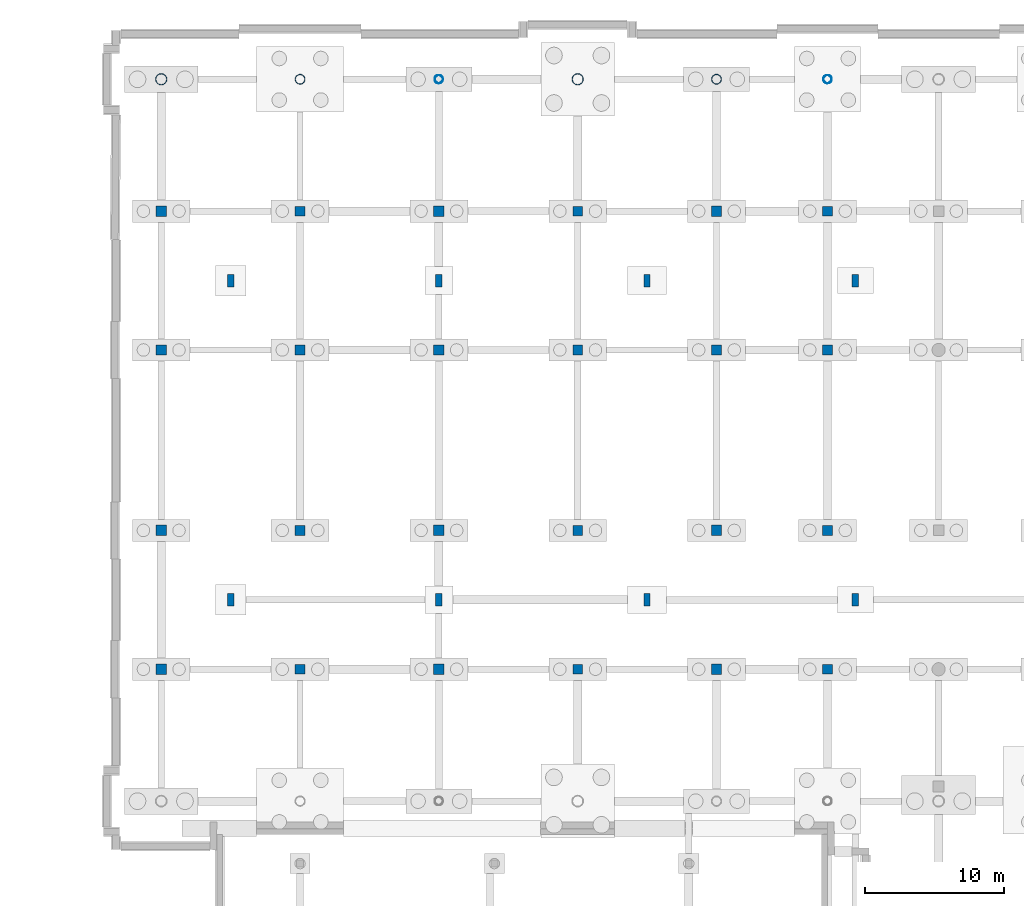
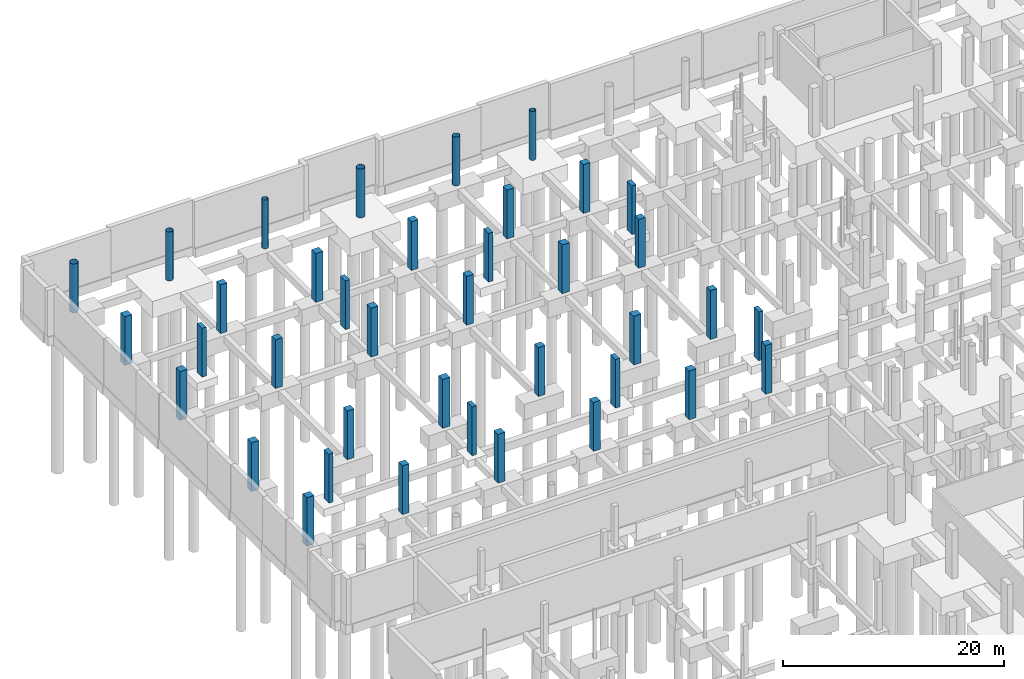
# One storey, part 39 of 65: 38 columns.
"""IFC4 building model written with IfcOpenShell, lengths in metres."""

import ifcopenshell
import ifcopenshell.guid

model = None  # the IFC model being written
_history = None  # IfcOwnerHistory: only IFC2X3 demands one
_inside = {}  # id of a spatial element -> (the spatial element, [elements in it])
_under = {}  # id of a project, library or spatial element -> (it, [spatial elements below it])
_declared = {}  # id of a project -> (the project, [libraries it declares])
_typed = {}  # id of a type object -> (the type object, [elements of that type])
_made_of = {}  # id of a material, layer set ... -> (it, [elements and type objects made of it])


def new_model(schema):
    """Start an empty IFC model of exactly this schema.

    Asked for "IFC4X3", IfcOpenShell would pick the latest addendum, in which some entities
    have other attributes; the version numbers below select the first issue.
    IFC2X3 requires an IfcOwnerHistory on every rooted entity: one is made here for all.
    """
    global model, _history
    if schema == "IFC4X3":
        model = ifcopenshell.file(schema_version=(4, 3, 0, 0))
    else:
        model = ifcopenshell.file(schema=schema)
    _inside.clear()
    _under.clear()
    _declared.clear()
    _typed.clear()
    _made_of.clear()
    _history = None
    if model.schema == "IFC2X3":
        org = make("IfcOrganization", Name="unknown")
        user = make(
            "IfcPersonAndOrganization",
            ThePerson=make("IfcPerson", FamilyName="unknown"),
            TheOrganization=org,
        )
        app = make(
            "IfcApplication",
            ApplicationDeveloper=org,
            Version="unknown",
            ApplicationFullName="unknown",
            ApplicationIdentifier="unknown",
        )
        _history = make(
            "IfcOwnerHistory",
            OwningUser=user,
            OwningApplication=app,
            ChangeAction="ADDED",
            CreationDate=0,
        )
    return model


def make(cls, **values):
    """One entity of the class cls with the attributes given. An attribute that is None is left unset."""
    return model.create_entity(
        cls, **{name: value for name, value in values.items() if value is not None}
    )


def rooted(cls, **values):
    """An entity with a GlobalId (a new one), such as an element, a storey or a relation."""
    return make(cls, GlobalId=ifcopenshell.guid.new(), OwnerHistory=_history, **values)


def si_unit(unit_type, name, prefix=None):
    """IfcSIUnit, for example si_unit("LENGTHUNIT", "METRE", prefix="MILLI")."""
    return make("IfcSIUnit", UnitType=unit_type, Prefix=prefix, Name=name)


def assignment(units):
    """IfcUnitAssignment: the units of a project."""
    return None if units is None else make("IfcUnitAssignment", Units=units)


def point(xyz):
    """IfcCartesianPoint."""
    return None if xyz is None else make("IfcCartesianPoint", Coordinates=xyz)


def direction(xyz):
    """IfcDirection."""
    return None if xyz is None else make("IfcDirection", DirectionRatios=xyz)


def frame(location, z_axis=None, x_axis=None):
    """IfcAxis2Placement3D, a coordinate frame: its origin and axes. An axis left out is left unset."""
    return make(
        "IfcAxis2Placement3D",
        Location=point(location),
        Axis=direction(z_axis),
        RefDirection=direction(x_axis),
    )


def frame_2d(location, x_axis=None):
    """IfcAxis2Placement2D, a coordinate frame in the plane: its origin and x axis."""
    return make(
        "IfcAxis2Placement2D", Location=point(location), RefDirection=direction(x_axis)
    )


def origin():
    """The frame at (0, 0, 0) with its axes left unset."""
    return frame((0.0, 0.0, 0.0))


def origin_2d():
    """The frame at (0, 0) in the plane with its x axis left unset."""
    return frame_2d((0.0, 0.0))


def place(relative_to, where):
    """IfcLocalPlacement: puts the frame where relative to a parent placement (None: the world)."""
    return make(
        "IfcLocalPlacement", PlacementRelTo=relative_to, RelativePlacement=where
    )


def context(
    kind, dimensions, precision=None, world=None, true_north=None, identifier=None
):
    """IfcGeometricRepresentationContext, for example the 3D "Model" context."""
    return make(
        "IfcGeometricRepresentationContext",
        ContextIdentifier=identifier,
        ContextType=kind,
        CoordinateSpaceDimension=dimensions,
        Precision=precision,
        WorldCoordinateSystem=world,
        TrueNorth=true_north,
    )


def subcontext(parent, identifier, kind, view, scale=None):
    """IfcGeometricRepresentationSubContext, for example "Body" below "Model"."""
    return make(
        "IfcGeometricRepresentationSubContext",
        ContextIdentifier=identifier,
        ContextType=kind,
        ParentContext=parent,
        TargetScale=scale,
        TargetView=view,
    )


def project(units=None, contexts=None):
    """IfcProject with its units and contexts."""
    return rooted(
        "IfcProject",
        Name="project",
        RepresentationContexts=contexts,
        UnitsInContext=assignment(units),
    )


def spatial(cls, under=None, at=None, **own):
    """A site, building, storey or space (cls), placed at a placement, below another one or the project."""
    s = rooted(cls, ObjectPlacement=at, **own)
    if under is not None:
        _under.setdefault(under.id(), (under, []))[1].append(s)
    return s


def profile(cls, at=None, kind="AREA", **sizes):
    """A parametric profile (cls). Its sizes go by their IFC names, for example OverallWidth=200.0."""
    return make(cls, ProfileType=kind, Position=at, **sizes)


def rectangle(**sizes):
    """IfcRectangleProfileDef."""
    return profile("IfcRectangleProfileDef", **sizes)


def hollow_circle(**sizes):
    """IfcCircleHollowProfileDef."""
    return profile("IfcCircleHollowProfileDef", **sizes)


def extrude(swept, where, along, depth):
    """IfcExtrudedAreaSolid: the profile swept, set in the frame where, extruded along a direction by depth."""
    return make(
        "IfcExtrudedAreaSolid",
        SweptArea=swept,
        Position=where,
        ExtrudedDirection=direction(along),
        Depth=depth,
    )


def shape(context_of_items, identifier, shape_type, items):
    """IfcShapeRepresentation: the items that make up one representation, for example the "Body"."""
    return make(
        "IfcShapeRepresentation",
        ContextOfItems=context_of_items,
        RepresentationIdentifier=identifier,
        RepresentationType=shape_type,
        Items=items,
    )


def material(Name=None, Category=None):
    """IfcMaterial."""
    return make("IfcMaterial", Name=Name, Category=Category)


def material_profile(
    of_material, cross_section, Name=None, Category=None, Priority=None
):
    """IfcMaterialProfile: a cross section and its material."""
    return make(
        "IfcMaterialProfile",
        Name=Name,
        Material=of_material,
        Profile=cross_section,
        Priority=Priority,
        Category=Category,
    )


def profile_set(profiles, Name=None, composite=None):
    """IfcMaterialProfileSet."""
    return make(
        "IfcMaterialProfileSet",
        Name=Name,
        MaterialProfiles=profiles,
        CompositeProfile=composite,
    )


def made_of(thing, what):
    """Note that an element or type object is made of a material, layer set ...; save() writes the relation."""
    if what is not None:
        _made_of.setdefault(what.id(), (what, []))[1].append(thing)
    return thing


def type_object(cls, material=None, **own):
    """A type object (cls), such as IfcWallType, which elements share."""
    return made_of(rooted(cls, **own), material)


def element(
    cls,
    number,
    at=None,
    inside=None,
    cuts=None,
    type_object=None,
    material=None,
    context=None,
    identifier="Body",
    shape_type=None,
    held_by="IfcProductDefinitionShape",
    body=None,
    shapes=None,
    **own,
):
    """One element of the class cls, such as IfcWall. Its Tag is "e" and its number.

    at: its placement. inside: the storey or other place that contains it. cuts: it is an
    opening in that element (IfcRelVoidsElement). A single representation is given by context,
    identifier, shape_type and body (its items); several are given by shapes. held_by: the class
    of the entity that holds the representations. save() writes the other relations.
    """
    e = rooted(cls, Tag="e%d" % number, ObjectPlacement=at, **own)
    if body is not None:
        shapes = [shape(context, identifier, shape_type, body)]
    if shapes is not None:
        e.Representation = make(held_by, Representations=shapes)
    if inside is not None:
        _inside.setdefault(inside.id(), (inside, []))[1].append(e)
    if cuts is not None:
        rooted(
            "IfcRelVoidsElement", RelatingBuildingElement=cuts, RelatedOpeningElement=e
        )
    if type_object is not None:
        _typed.setdefault(type_object.id(), (type_object, []))[1].append(e)
    return made_of(e, material)


def aggregate(whole, parts):
    """IfcRelAggregates: a whole, such as a stair, and the parts it consists of."""
    return rooted("IfcRelAggregates", RelatingObject=whole, RelatedObjects=parts)


def save(model, path):
    """Write the relations noted so far, then the file.

    IfcRelAggregates (storeys below a building ...), IfcRelContainedInSpatialStructure (elements
    in a storey), IfcRelDefinesByType, IfcRelAssociatesMaterial and IfcRelDeclares: one each for
    every whole, place, type object, material and project.
    """
    for whole, parts in _under.values():
        aggregate(whole, parts)
    for where, things in _inside.values():
        rooted(
            "IfcRelContainedInSpatialStructure",
            RelatedElements=things,
            RelatingStructure=where,
        )
    for kind, things in _typed.values():
        rooted("IfcRelDefinesByType", RelatedObjects=things, RelatingType=kind)
    for what, things in _made_of.values():
        rooted("IfcRelAssociatesMaterial", RelatedObjects=things, RelatingMaterial=what)
    for by, libraries in _declared.values():
        rooted("IfcRelDeclares", RelatingContext=by, RelatedDefinitions=libraries)
    model.write(path)


model = new_model("IFC4")

# Units and contexts
model_context = context("Model", 3, precision=1e-05, world=origin(), true_north=direction((0.0, 1.0)))
body_context = subcontext(model_context, "Body", "Model", "MODEL_VIEW")
ifc_project = project(units=[si_unit("LENGTHUNIT", "METRE"), si_unit("AREAUNIT", "SQUARE_METRE"), si_unit("VOLUMEUNIT", "CUBIC_METRE"), si_unit("PLANEANGLEUNIT", "RADIAN"), si_unit("MASSUNIT", "GRAM", prefix="KILO")], contexts=[model_context])

# Site, building, storey
site_placement = place(None, origin())
site = spatial("IfcSite", under=ifc_project, at=site_placement, CompositionType="ELEMENT")
building_placement = place(site_placement, origin())
building = spatial("IfcBuilding", under=site, at=building_placement, Name="Khorjan Park Terminus", CompositionType="ELEMENT")
storey_placement = place(building_placement, frame((0.0, 0.0, -5.4)))
storey = spatial("IfcBuildingStorey", under=building, at=storey_placement, Name="B1", CompositionType="ELEMENT", Elevation=-5.4)

# Columns
ifc_material_1 = material(Name="Concrete C40/50", Category="concrete")
ifc_material_profile_1 = material_profile(ifc_material_1, rectangle(XDim=0.45, YDim=0.9, at=origin_2d()), Name="RC 450x900")
ifc_profile_set_1 = profile_set([ifc_material_profile_1], Name="Concrete C40/50")
column_type_1 = type_object("IfcColumnType", Name="COL-PIL900", PredefinedType="PILASTER", material=ifc_profile_set_1)
for number, where, z_axis, x_axis, name in (
    (1, (5.0, 116.5, 0.0), (0.0, 0.0, 1.0), (1.0, 0.0, 0.0), "Substructure track-bed pilaster CP-09 (1 B1)"),
    (2, (20.0, 116.5, 0.0), (0.0, 0.0, 1.0), (1.0, 0.0, 0.0), "Substructure track-bed pilaster CP-09 (2 B1)"),
    (3, (35.0, 116.5, 0.0), (0.0, 0.0, 1.0), (1.0, 0.0, 0.0), "Substructure track-bed pilaster CP-09 (3 B1)"),
    (4, (50.0, 116.5, 0.0), (0.0, 0.0, 1.0), (1.0, 0.0, 0.0), "Substructure track-bed pilaster CP-09 (4 B1)"),
    (5, (5.0, 139.5, 0.0), (0.0, 0.0, 1.0), (1.0, 0.0, 0.0), "Substructure track-bed pilaster CP-09 (11 B1)"),
    (6, (20.0, 139.5, 0.0), (0.0, 0.0, 1.0), (1.0, 0.0, 0.0), "Substructure track-bed pilaster CP-09 (12 B1)"),
    (7, (35.0, 139.5, 0.0), (0.0, 0.0, 1.0), (1.0, 0.0, 0.0), "Substructure track-bed pilaster CP-09 (13 B1)"),
    (8, (50.0, 139.5, 0.0), (0.0, 0.0, 1.0), (1.0, 0.0, 0.0), "Substructure track-bed pilaster CP-09 (14 B1)"),
):
    element("IfcColumn", number, at=place(storey_placement, frame(where, z_axis=z_axis, x_axis=x_axis)), inside=storey, type_object=column_type_1, Name=name, PredefinedType="PILASTER", context=body_context, shape_type="SweptSolid", body=[
        extrude(rectangle(XDim=0.45, YDim=0.9, at=origin_2d()), origin(), (0.0, 0.0, 1.0), 5.4),
    ])
ifc_material_profile_2 = material_profile(ifc_material_1, rectangle(XDim=0.7, YDim=0.7, at=origin_2d()), Name="RC 700x700")
ifc_profile_set_2 = profile_set([ifc_material_profile_2], Name="Concrete C40/50")
column_type_2 = type_object("IfcColumnType", Name="COL-RC700", PredefinedType="COLUMN", material=ifc_profile_set_2)
for number, where, z_axis, x_axis, name in (
    (9, (10.0, 111.5, 0.0), (0.0, 0.0, 1.0), (1.0, 0.0, 0.0), "Structural column C-RC07 (B1 #21)"),
    (10, (10.0, 121.5, 0.0), (0.0, 0.0, 1.0), (1.0, 0.0, 0.0), "Structural column C-RC07 (B1 #22)"),
    (11, (10.0, 134.5, 0.0), (0.0, 0.0, 1.0), (1.0, 0.0, 0.0), "Structural column C-RC07 (B1 #23)"),
    (12, (10.0, 144.5, 0.0), (0.0, 0.0, 1.0), (1.0, 0.0, 0.0), "Structural column C-RC07 (B1 #24)"),
    (13, (30.0, 111.5, 0.0), (0.0, 0.0, 1.0), (1.0, 0.0, 0.0), "Structural column C-RC07 (B1 #45)"),
    (14, (30.0, 121.5, 0.0), (0.0, 0.0, 1.0), (1.0, 0.0, 0.0), "Structural column C-RC07 (B1 #46)"),
    (15, (30.0, 134.5, 0.0), (0.0, 0.0, 1.0), (1.0, 0.0, 0.0), "Structural column C-RC07 (B1 #47)"),
    (16, (30.0, 144.5, 0.0), (0.0, 0.0, 1.0), (1.0, 0.0, 0.0), "Structural column C-RC07 (B1 #48)"),
    (17, (48.0, 111.5, 0.0), (0.0, 0.0, 1.0), (1.0, 0.0, 0.0), "Structural column C-RC07 (B1 #69)"),
    (18, (48.0, 121.5, 0.0), (0.0, 0.0, 1.0), (1.0, 0.0, 0.0), "Structural column C-RC07 (B1 #70)"),
    (19, (48.0, 134.5, 0.0), (0.0, 0.0, 1.0), (1.0, 0.0, 0.0), "Structural column C-RC07 (B1 #71)"),
    (20, (48.0, 144.5, 0.0), (0.0, 0.0, 1.0), (1.0, 0.0, 0.0), "Structural column C-RC07 (B1 #72)"),
):
    element("IfcColumn", number, at=place(storey_placement, frame(where, z_axis=z_axis, x_axis=x_axis)), inside=storey, type_object=column_type_2, Name=name, PredefinedType="COLUMN", context=body_context, shape_type="SweptSolid", body=[
        extrude(rectangle(XDim=0.7, YDim=0.7, at=origin_2d()), origin(), (0.0, 0.0, 1.0), 5.4),
    ])
ifc_material_profile_3 = material_profile(ifc_material_1, rectangle(XDim=0.75, YDim=0.75, at=origin_2d()), Name="RC 750x750")
ifc_profile_set_3 = profile_set([ifc_material_profile_3], Name="Concrete C40/50")
column_type_3 = type_object("IfcColumnType", Name="COL-RC750", PredefinedType="COLUMN", material=ifc_profile_set_3)
for number, where, z_axis, x_axis, name in (
    (21, (0.0, 111.5, 0.0), (0.0, 0.0, 1.0), (1.0, 0.0, 0.0), "Structural column C-RC75 (B1 #9)"),
    (22, (0.0, 121.5, 0.0), (0.0, 0.0, 1.0), (1.0, 0.0, 0.0), "Structural column C-RC75 (B1 #10)"),
    (23, (0.0, 134.5, 0.0), (0.0, 0.0, 1.0), (1.0, 0.0, 0.0), "Structural column C-RC75 (B1 #11)"),
    (24, (0.0, 144.5, 0.0), (0.0, 0.0, 1.0), (1.0, 0.0, 0.0), "Structural column C-RC75 (B1 #12)"),
    (25, (20.0, 111.5, 0.0), (0.0, 0.0, 1.0), (1.0, 0.0, 0.0), "Structural column C-RC75 (B1 #33)"),
    (26, (20.0, 121.5, 0.0), (0.0, 0.0, 1.0), (1.0, 0.0, 0.0), "Structural column C-RC75 (B1 #34)"),
    (27, (20.0, 134.5, 0.0), (0.0, 0.0, 1.0), (1.0, 0.0, 0.0), "Structural column C-RC75 (B1 #35)"),
    (28, (20.0, 144.5, 0.0), (0.0, 0.0, 1.0), (1.0, 0.0, 0.0), "Structural column C-RC75 (B1 #36)"),
    (29, (40.0, 111.5, 0.0), (0.0, 0.0, 1.0), (1.0, 0.0, 0.0), "Structural column C-RC75 (B1 #57)"),
    (30, (40.0, 121.5, 0.0), (0.0, 0.0, 1.0), (1.0, 0.0, 0.0), "Structural column C-RC75 (B1 #58)"),
    (31, (40.0, 134.5, 0.0), (0.0, 0.0, 1.0), (1.0, 0.0, 0.0), "Structural column C-RC75 (B1 #59)"),
    (32, (40.0, 144.5, 0.0), (0.0, 0.0, 1.0), (1.0, 0.0, 0.0), "Structural column C-RC75 (B1 #60)"),
):
    element("IfcColumn", number, at=place(storey_placement, frame(where, z_axis=z_axis, x_axis=x_axis)), inside=storey, type_object=column_type_3, Name=name, PredefinedType="COLUMN", context=body_context, shape_type="SweptSolid", body=[
        extrude(rectangle(XDim=0.75, YDim=0.75, at=origin_2d()), origin(), (0.0, 0.0, 1.0), 5.4),
    ])
ifc_material_2 = material(Name="Steel S355", Category="steel")
ifc_material_profile_4 = material_profile(ifc_material_2, hollow_circle(Radius=0.305, WallThickness=0.02, at=origin_2d()), Name="CHS 610x20")
ifc_profile_set_4 = profile_set([ifc_material_profile_4], Name="Steel S355")
column_type_4 = type_object("IfcColumnType", Name="COL-SH610E", PredefinedType="COLUMN", material=ifc_profile_set_4)
for number, where, z_axis, x_axis, name in (
    (33, (20.0, 154.0, 0.0), (0.0, 0.0, 1.0), (1.0, 0.0, 0.0), "Structural column SC-61 (B1 #29)"),
    (34, (48.0, 154.0, 0.0), (0.0, 0.0, 1.0), (1.0, 0.0, 0.0), "Structural column SC-61 (B1 #65)"),
):
    element("IfcColumn", number, at=place(storey_placement, frame(where, z_axis=z_axis, x_axis=x_axis)), inside=storey, type_object=column_type_4, Name=name, PredefinedType="COLUMN", context=body_context, shape_type="SweptSolid", body=[
        extrude(hollow_circle(Radius=0.305, WallThickness=0.02, at=origin_2d()), origin(), (0.0, 0.0, 1.0), 5.4),
    ])
ifc_material_profile_5 = material_profile(ifc_material_2, hollow_circle(Radius=0.3555, WallThickness=0.025, at=origin_2d()), Name="CHS 711x25")
ifc_profile_set_5 = profile_set([ifc_material_profile_5], Name="Steel S355")
column_type_5 = type_object("IfcColumnType", Name="COL-SH711E", PredefinedType="COLUMN", material=ifc_profile_set_5)
for number, where, z_axis, x_axis, name in (
    (35, (10.0, 154.0, 0.0), (0.0, 0.0, 1.0), (1.0, 0.0, 0.0), "Structural column SC-71 (B1 #17)"),
    (36, (40.0, 154.0, 0.0), (0.0, 0.0, 1.0), (1.0, 0.0, 0.0), "Structural column SC-71 (B1 #53)"),
):
    element("IfcColumn", number, at=place(storey_placement, frame(where, z_axis=z_axis, x_axis=x_axis)), inside=storey, type_object=column_type_5, Name=name, PredefinedType="COLUMN", context=body_context, shape_type="SweptSolid", body=[
        extrude(hollow_circle(Radius=0.3555, WallThickness=0.025, at=origin_2d()), origin(), (0.0, 0.0, 1.0), 5.4),
    ])
ifc_material_profile_6 = material_profile(ifc_material_2, hollow_circle(Radius=0.4065, WallThickness=0.025, at=origin_2d()), Name="CHS 813x25")
ifc_profile_set_6 = profile_set([ifc_material_profile_6], Name="Steel S355")
column_type_6 = type_object("IfcColumnType", Name="COL-SH813E", PredefinedType="COLUMN", material=ifc_profile_set_6)
for number, where, z_axis, x_axis, name in (
    (37, (0.0, 154.0, 0.0), (0.0, 0.0, 1.0), (1.0, 0.0, 0.0), "Structural column SC-81 (B1 #5)"),
    (38, (30.0, 154.0, 0.0), (0.0, 0.0, 1.0), (1.0, 0.0, 0.0), "Structural column SC-81 (B1 #41)"),
):
    element("IfcColumn", number, at=place(storey_placement, frame(where, z_axis=z_axis, x_axis=x_axis)), inside=storey, type_object=column_type_6, Name=name, PredefinedType="COLUMN", context=body_context, shape_type="SweptSolid", body=[
        extrude(hollow_circle(Radius=0.4065, WallThickness=0.025, at=origin_2d()), origin(), (0.0, 0.0, 1.0), 5.4),
    ])

save(model, "model.ifc")
